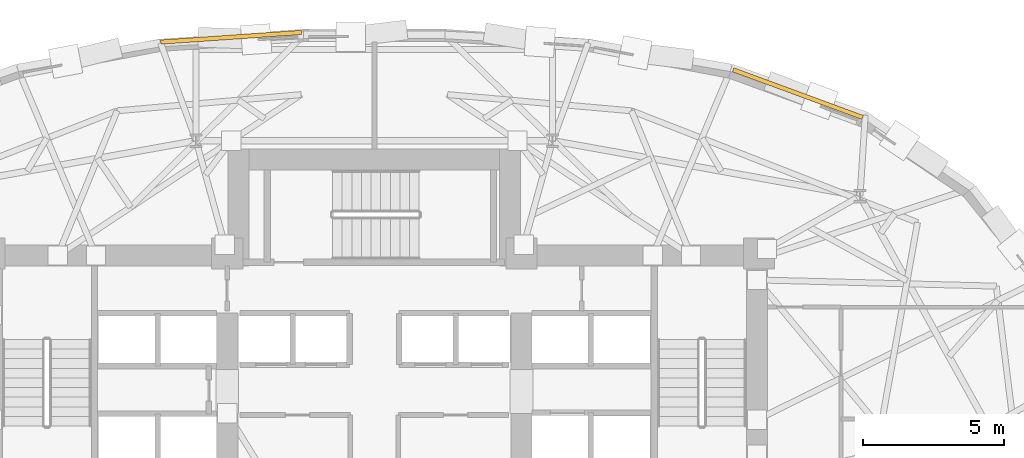
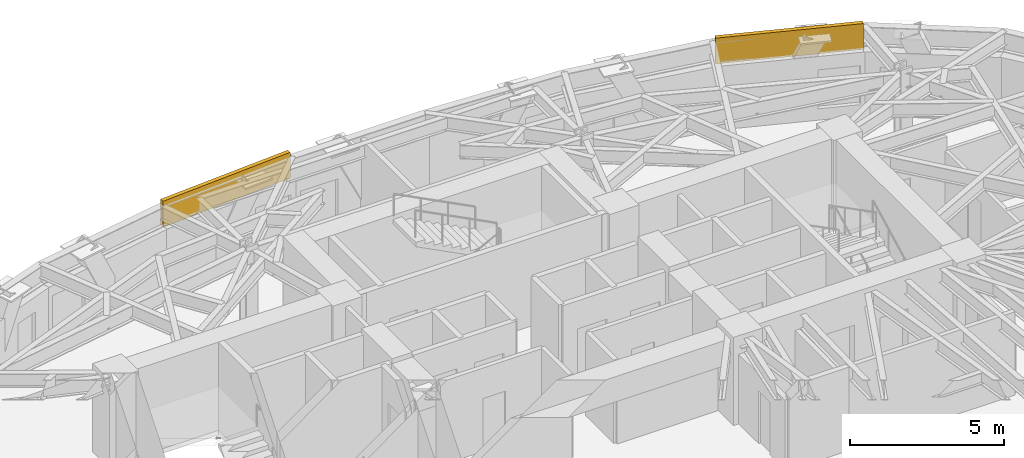
# One storey, part 14 of 14: 2 coverings.
"""IFC4 building model written with IfcOpenShell, lengths in metres."""

from ifc_helpers import new_model, si_unit, direction, frame, origin, origin_2d, place, context, subcontext, project, spatial, rectangle, extrude, material, layer, layer_set, type_object, element, save


model = new_model("IFC4")

# Units and contexts
model_context = context("Model", 3, precision=1e-05, world=origin(), true_north=direction((0.0, 1.0)))
body_context = subcontext(model_context, "Body", "Model", "MODEL_VIEW")
ifc_project = project(units=[si_unit("LENGTHUNIT", "METRE"), si_unit("AREAUNIT", "SQUARE_METRE"), si_unit("VOLUMEUNIT", "CUBIC_METRE"), si_unit("PLANEANGLEUNIT", "RADIAN"), si_unit("MASSUNIT", "GRAM", prefix="KILO")], contexts=[model_context])

# Site, building, storey
site_placement = place(None, origin())
site = spatial("IfcSite", under=ifc_project, at=site_placement, CompositionType="ELEMENT")
building_placement = place(site_placement, origin())
building = spatial("IfcBuilding", under=site, at=building_placement, Name="Keldmark Tower", CompositionType="ELEMENT")
storey_placement = place(building_placement, frame((0.0, 0.0, 128.10009765625)))
storey = spatial("IfcBuildingStorey", under=building, at=storey_placement, Name="L34", CompositionType="ELEMENT", Elevation=128.10009765625)

# Coverings
ifc_material = material(Name="Honed Kasota Buff Dolomitic Limestone", Category="masonry")
ifc_layer = layer(ifc_material, 0.074951171875)
ifc_layer_set = layer_set([ifc_layer], Name="Honed Kasota Buff Dolomitic Limestone")
covering_type = type_object("IfcCoveringType", Name="Kasota Buff Limestone Spandrel Cladding Band", PredefinedType="CLADDING", material=ifc_layer_set)
covering_1_placement = place(storey_placement, frame((14.971923828125, 15.098388671875, 2.45166015625), z_axis=(0.0, 0.0, 1.0), x_axis=(-0.938408622477, 0.345527505794, 0.0)))
element("IfcCovering", 1, at=covering_1_placement, inside=storey, type_object=covering_type, Name="L34 Kasota Limestone Spandrel Band 05", PredefinedType="CLADDING", context=body_context, shape_type="SweptSolid", body=[
    extrude(rectangle(XDim=4.878173828125, YDim=0.14990234375, at=origin_2d()), origin(), (0.0, 0.0, 1.0), 1.028076171875),
])
covering_2_placement = place(storey_placement, frame((-5.06298828125, 17.090576171875, 2.45166015625), z_axis=(0.0, 0.0, 1.0), x_axis=(-0.99765211661, -0.068485430736, 0.0)))
element("IfcCovering", 2, at=covering_2_placement, inside=storey, type_object=covering_type, Name="L34 Kasota Limestone Spandrel Band 09", PredefinedType="CLADDING", context=body_context, shape_type="SweptSolid", body=[
    extrude(rectangle(XDim=4.9853515625, YDim=0.14990234375, at=origin_2d()), origin(), (0.0, 0.0, 1.0), 1.028076171875),
])

save(model, "model.ifc")
